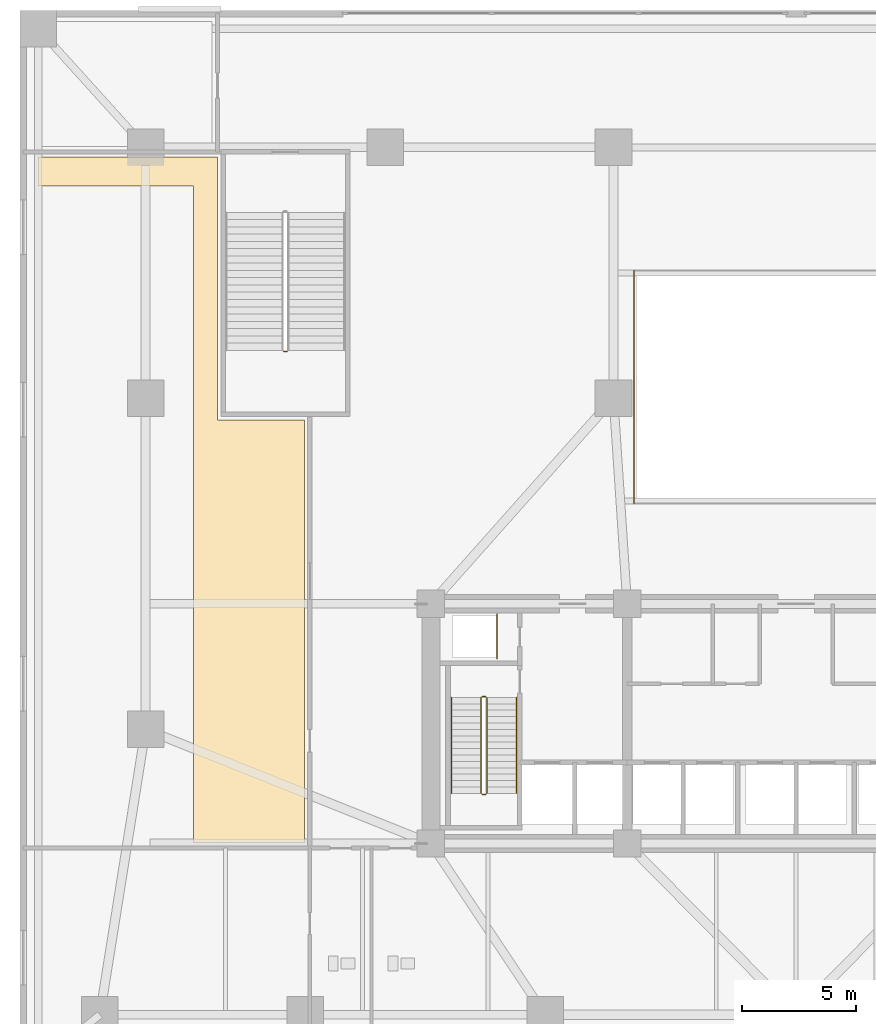
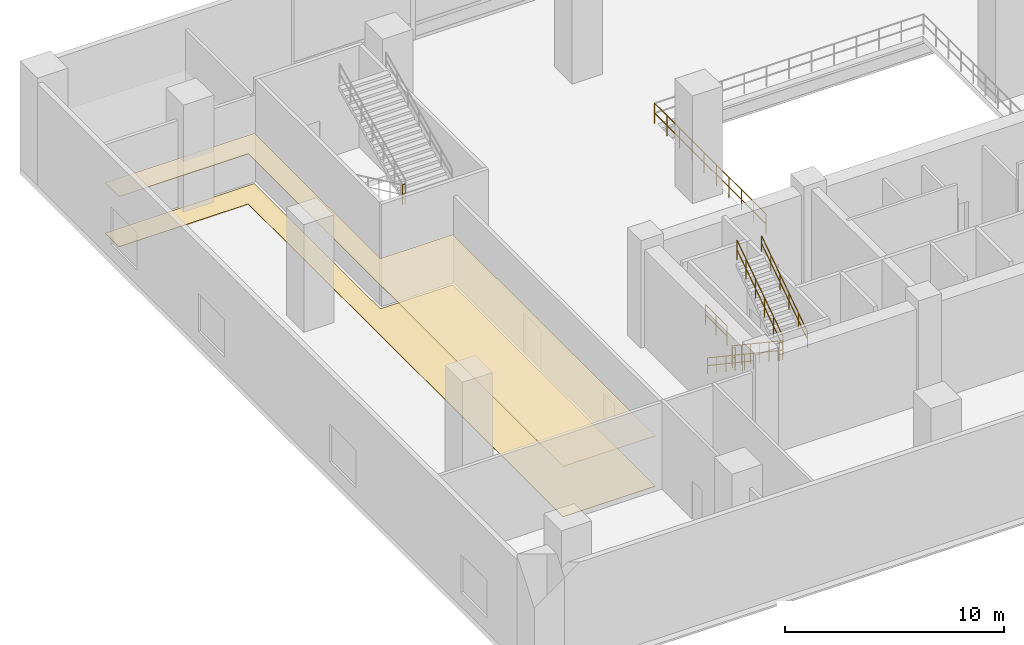
# One storey, part 10 of 16: 9 railings, 2 coverings.
"""IFC4 building model written with IfcOpenShell, lengths in metres."""

from ifc_helpers import new_model, si_unit, direction, frame, origin, origin_2d, place, context, subcontext, project, spatial, polyline, circle, outline, extrude, material, layer, layer_set, type_object, element, save


model = new_model("IFC4")

# Units and contexts
model_context = context("Model", 3, precision=1e-05, world=origin(), true_north=direction((0.0, 1.0)))
body_context = subcontext(model_context, "Body", "Model", "MODEL_VIEW")
ifc_project = project(units=[si_unit("LENGTHUNIT", "METRE"), si_unit("AREAUNIT", "SQUARE_METRE"), si_unit("VOLUMEUNIT", "CUBIC_METRE"), si_unit("PLANEANGLEUNIT", "RADIAN"), si_unit("MASSUNIT", "GRAM", prefix="KILO")], contexts=[model_context])

# Site, building, storey
site_placement = place(None, origin())
site = spatial("IfcSite", under=ifc_project, at=site_placement, CompositionType="ELEMENT")
building_placement = place(site_placement, origin())
building = spatial("IfcBuilding", under=site, at=building_placement, Name="Solmavex Isthmus Hotel", CompositionType="ELEMENT")
storey_placement = place(building_placement, frame((0.0, 0.0, 5.39990234375)))
storey = spatial("IfcBuildingStorey", under=building, at=storey_placement, Name="L02", CompositionType="ELEMENT", Elevation=5.39990234375)

# Coverings
ifc_material_1 = material(Name="Gypsum plasterboard lining", Category="gypsum")
ifc_layer_1 = layer(ifc_material_1, 0.030029296875)
ifc_layer_set_1 = layer_set([ifc_layer_1], Name="Gypsum plasterboard lining")
covering_type_1 = type_object("IfcCoveringType", Name="COV-CEIL-GYP", PredefinedType="CEILING", material=ifc_layer_set_1)
covering_1_placement = place(storey_placement, frame((0.0, 0.0, 2.800048828125)))
element("IfcCovering", 1, at=covering_1_placement, inside=storey, type_object=covering_type_1, Name="Suspended Acoustic Ceiling L02-GBR", PredefinedType="CEILING", context=body_context, shape_type="SweptSolid", body=[
    extrude(outline(polyline([(-21.530029296875, 5.550048828125), (-25.35009765625, 5.550048828125), (-25.35009765625, 17.070068359375), (-33.219970703125, 17.070068359375), (-33.219970703125, 15.800048828125), (-26.39990234375, 15.800048828125), (-26.39990234375, -12.969970703125), (-21.530029296875, -12.969970703125), (-21.530029296875, 5.550048828125)])), origin(), (0.0, 0.0, 1.0), 0.030029296875),
])
ifc_material_2 = material(Name="Travertine natural stone", Category="masonry")
ifc_layer_2 = layer(ifc_material_2, 0.02490234375)
ifc_layer_set_2 = layer_set([ifc_layer_2], Name="Travertine natural stone")
covering_type_2 = type_object("IfcCoveringType", Name="COV-FLOR-STN", PredefinedType="FLOORING", material=ifc_layer_set_2)
covering_2_placement = place(storey_placement, origin())
element("IfcCovering", 2, at=covering_2_placement, inside=storey, type_object=covering_type_2, Name="Stone and Timber Floor Finish L02-GBR", PredefinedType="FLOORING", context=body_context, shape_type="SweptSolid", body=[
    extrude(outline(polyline([(-21.530029296875, 5.550048828125), (-25.35009765625, 5.550048828125), (-25.35009765625, 17.070068359375), (-33.219970703125, 17.070068359375), (-33.219970703125, 15.800048828125), (-26.39990234375, 15.800048828125), (-26.39990234375, -12.969970703125), (-21.530029296875, -12.969970703125), (-21.530029296875, 5.550048828125)])), origin(), (0.0, 0.0, 1.0), 0.025146484375),
])

# Railings
ifc_material_3 = material(Name="Clear low-E laminated glass", Category="glass")
ifc_layer_3 = layer(ifc_material_3, 0.080078125)
ifc_layer_set_3 = layer_set([ifc_layer_3], Name="Clear low-E laminated glass")
railing_type_1 = type_object("IfcRailingType", Name="RAIL-ATRIUM-1120", PredefinedType="BALUSTRADE", material=ifc_layer_set_3)
railing_1_placement = place(storey_placement, frame((-7.10009765625, 12.10009765625, 0.0)))
element("IfcRailing", 3, at=railing_1_placement, inside=storey, type_object=railing_type_1, Name="Guardrail Balustrade L02-ATRIUM-04", PredefinedType="BALUSTRADE", context=body_context, shape_type="SweptSolid", body=[
    extrude(circle(Radius=0.02392578125, at=origin_2d()), frame((0.0, 0.0, 1.1259765625), z_axis=(0.0, -1.0, 0.0), x_axis=(1.0, 0.0, 0.0)), (0.0, 0.0, 1.0), 10.2001953125),
    extrude(circle(Radius=0.02392578125, at=origin_2d()), frame((0.0, 0.0, 0.574951171875), z_axis=(0.0, -1.0, 0.0), x_axis=(1.0, 0.0, 0.0)), (0.0, 0.0, 1.0), 10.2001953125),
    extrude(circle(Radius=0.02099609375, at=origin_2d()), origin(), (0.0, 0.0, 1.0), 1.101806640625),
    extrude(circle(Radius=0.02099609375, at=origin_2d()), frame((0.0, -1.13330078125, 0.0)), (0.0, 0.0, 1.0), 1.101806640625),
    extrude(circle(Radius=0.02099609375, at=origin_2d()), frame((0.0, -2.2666015625, 0.0)), (0.0, 0.0, 1.0), 1.101806640625),
    extrude(circle(Radius=0.02099609375, at=origin_2d()), frame((0.0, -3.400146484375, 0.0)), (0.0, 0.0, 1.0), 1.101806640625),
    extrude(circle(Radius=0.02099609375, at=origin_2d()), frame((0.0, -4.533447265625, 0.0)), (0.0, 0.0, 1.0), 1.101806640625),
    extrude(circle(Radius=0.02099609375, at=origin_2d()), frame((0.0, -5.666748046875, 0.0)), (0.0, 0.0, 1.0), 1.101806640625),
    extrude(circle(Radius=0.02099609375, at=origin_2d()), frame((0.0, -6.800048828125, 0.0)), (0.0, 0.0, 1.0), 1.101806640625),
    extrude(circle(Radius=0.02099609375, at=origin_2d()), frame((0.0, -7.93359375, 0.0)), (0.0, 0.0, 1.0), 1.101806640625),
    extrude(circle(Radius=0.02099609375, at=origin_2d()), frame((0.0, -9.06689453125, 0.0)), (0.0, 0.0, 1.0), 1.101806640625),
    extrude(circle(Radius=0.02099609375, at=origin_2d()), frame((0.0, -10.2001953125, 0.0)), (0.0, 0.0, 1.0), 1.101806640625),
])
railing_2_placement = place(storey_placement, frame((-13.10009765625, -4.89990234375, 0.0)))
element("IfcRailing", 4, at=railing_2_placement, inside=storey, type_object=railing_type_1, Name="Guardrail Balustrade L02-RSW-01", PredefinedType="BALUSTRADE", context=body_context, shape_type="SweptSolid", body=[
    extrude(circle(Radius=0.02392578125, at=origin_2d()), frame((0.0, 0.0, 1.1259765625), z_axis=(0.0, 1.0, 0.0), x_axis=(-1.0, 0.0, 0.0)), (0.0, 0.0, 1.0), 1.949951171875),
    extrude(circle(Radius=0.02392578125, at=origin_2d()), frame((0.0, 0.0, 0.574951171875), z_axis=(0.0, 1.0, 0.0), x_axis=(-1.0, 0.0, 0.0)), (0.0, 0.0, 1.0), 1.949951171875),
    extrude(circle(Radius=0.02099609375, at=origin_2d()), origin(), (0.0, 0.0, 1.0), 1.101806640625),
    extrude(circle(Radius=0.02099609375, at=origin_2d()), frame((0.0, 0.97509765625, 0.0)), (0.0, 0.0, 1.0), 1.101806640625),
    extrude(circle(Radius=0.02099609375, at=origin_2d()), frame((0.0, 1.949951171875, 0.0)), (0.0, 0.0, 1.0), 1.101806640625),
])
ifc_material_4 = material(Name="Stainless steel 316", Category="steel")
ifc_layer_4 = layer(ifc_material_4, 0.06005859375)
ifc_layer_set_4 = layer_set([ifc_layer_4], Name="Stainless steel 316")
railing_type_2 = type_object("IfcRailingType", Name="RAIL-STAIR-GD", PredefinedType="GUARDRAIL", material=ifc_layer_set_4)
railing_3_placement = place(storey_placement, frame((-13.800048828125, -6.60009765625, 0.1875)))
element("IfcRailing", 5, at=railing_3_placement, inside=storey, type_object=railing_type_2, Name="L02 ST-1 stair guard 1", PredefinedType="GUARDRAIL", context=body_context, shape_type="SweptSolid", body=[
    extrude(circle(Radius=0.02392578125, at=origin_2d()), frame((0.0, 0.0, 1.09619140625), z_axis=(0.0, -0.830904186295, 0.556415522067), x_axis=(1.0, 0.0, 0.0)), (0.0, 0.0, 1.0), 5.0546875),
    extrude(circle(Radius=0.02392578125, at=origin_2d()), frame((0.0, 0.0, 0.56005859375), z_axis=(0.0, -0.830904186295, 0.556415522067), x_axis=(1.0, 0.0, 0.0)), (0.0, 0.0, 1.0), 5.0546875),
    extrude(circle(Radius=0.02099609375, at=origin_2d()), origin(), (0.0, 0.0, 1.0), 1.072021484375),
    extrude(circle(Radius=0.02099609375, at=origin_2d()), frame((0.0, -0.840087890625, 0.5625)), (0.0, 0.0, 1.0), 1.072021484375),
    extrude(circle(Radius=0.02099609375, at=origin_2d()), frame((0.0, -1.679931640625, 1.125)), (0.0, 0.0, 1.0), 1.072021484375),
    extrude(circle(Radius=0.02099609375, at=origin_2d()), frame((0.0, -2.52001953125, 1.6875)), (0.0, 0.0, 1.0), 1.072021484375),
    extrude(circle(Radius=0.02099609375, at=origin_2d()), frame((0.0, -3.35986328125, 2.25)), (0.0, 0.0, 1.0), 1.072021484375),
    extrude(circle(Radius=0.02099609375, at=origin_2d()), frame((0.0, -4.199951171875, 2.8125)), (0.0, 0.0, 1.0), 1.072021484375),
])
railing_4_placement = place(storey_placement, frame((-13.75, -10.85009765625, 3.0)))
element("IfcRailing", 6, at=railing_4_placement, inside=storey, type_object=railing_type_2, Name="L02 ST-1 stair guard 2", PredefinedType="GUARDRAIL", context=body_context, shape_type="SweptSolid", body=[
    extrude(circle(Radius=0.02392578125, at=origin_2d()), frame((0.0, 0.0, 1.09619140625), z_axis=(1.0, 0.0, 0.0), x_axis=(0.0, 1.0, 0.0)), (0.0, 0.0, 1.0), 0.14990234375),
    extrude(circle(Radius=0.02392578125, at=origin_2d()), frame((0.0, 0.0, 0.56005859375), z_axis=(1.0, 0.0, 0.0), x_axis=(0.0, 1.0, 0.0)), (0.0, 0.0, 1.0), 0.14990234375),
    extrude(circle(Radius=0.02099609375, at=origin_2d()), origin(), (0.0, 0.0, 1.0), 1.072021484375),
    extrude(circle(Radius=0.02099609375, at=origin_2d()), frame((0.14990234375, 0.0, 0.0)), (0.0, 0.0, 1.0), 1.072021484375),
])
railing_5_placement = place(storey_placement, frame((-13.550048828125, -10.800048828125, 3.1875)))
element("IfcRailing", 7, at=railing_5_placement, inside=storey, type_object=railing_type_2, Name="L02 ST-1 stair guard 3", PredefinedType="GUARDRAIL", context=body_context, shape_type="SweptSolid", body=[
    extrude(circle(Radius=0.02392578125, at=origin_2d()), frame((0.0, 0.0, 1.09619140625), z_axis=(0.0, 0.830904186295, 0.556415522067), x_axis=(-1.0, 0.0, 0.0)), (0.0, 0.0, 1.0), 5.0546875),
    extrude(circle(Radius=0.02392578125, at=origin_2d()), frame((0.0, 0.0, 0.56005859375), z_axis=(0.0, 0.830904186295, 0.556415522067), x_axis=(-1.0, 0.0, 0.0)), (0.0, 0.0, 1.0), 5.0546875),
    extrude(circle(Radius=0.02099609375, at=origin_2d()), origin(), (0.0, 0.0, 1.0), 1.072021484375),
    extrude(circle(Radius=0.02099609375, at=origin_2d()), frame((0.0, 0.840087890625, 0.5625)), (0.0, 0.0, 1.0), 1.072021484375),
    extrude(circle(Radius=0.02099609375, at=origin_2d()), frame((0.0, 1.679931640625, 1.125)), (0.0, 0.0, 1.0), 1.072021484375),
    extrude(circle(Radius=0.02099609375, at=origin_2d()), frame((0.0, 2.52001953125, 1.6875)), (0.0, 0.0, 1.0), 1.072021484375),
    extrude(circle(Radius=0.02099609375, at=origin_2d()), frame((0.0, 3.35986328125, 2.25)), (0.0, 0.0, 1.0), 1.072021484375),
    extrude(circle(Radius=0.02099609375, at=origin_2d()), frame((0.0, 4.199951171875, 2.8125)), (0.0, 0.0, 1.0), 1.072021484375),
])
for number, where, name in (
    (8, (-13.75, -6.550048828125, 0.0), "L02 ST-1 stair guard 4"),
    (9, (-22.449951171875, 8.55810546875, 3.0), "L02 ST-4 stair guard 2"),
):
    element("IfcRailing", number, at=place(storey_placement, frame(where)), inside=storey, type_object=railing_type_2, Name=name, PredefinedType="GUARDRAIL", context=body_context, shape_type="SweptSolid", body=[
        extrude(circle(Radius=0.02392578125, at=origin_2d()), frame((0.0, 0.0, 1.09619140625), z_axis=(1.0, 0.0, 0.0), x_axis=(0.0, 1.0, 0.0)), (0.0, 0.0, 1.0), 0.14990234375),
        extrude(circle(Radius=0.02392578125, at=origin_2d()), frame((0.0, 0.0, 0.56005859375), z_axis=(1.0, 0.0, 0.0), x_axis=(0.0, 1.0, 0.0)), (0.0, 0.0, 1.0), 0.14990234375),
        extrude(circle(Radius=0.02099609375, at=origin_2d()), origin(), (0.0, 0.0, 1.0), 1.072021484375),
        extrude(circle(Radius=0.02099609375, at=origin_2d()), frame((0.14990234375, 0.0, 0.0)), (0.0, 0.0, 1.0), 1.072021484375),
    ])
ifc_layer_5 = layer(ifc_material_4, 0.050048828125)
ifc_layer_set_5 = layer_set([ifc_layer_5], Name="Stainless steel 316")
railing_type_3 = type_object("IfcRailingType", Name="RAIL-STAIR-HR", PredefinedType="HANDRAIL", material=ifc_layer_set_5)
railing_6_placement = place(storey_placement, frame((-15.10009765625, -6.60009765625, 0.1875)))
element("IfcRailing", 10, at=railing_6_placement, inside=storey, type_object=railing_type_3, Name="L02 ST-1 stair handrail 1", PredefinedType="HANDRAIL", context=body_context, shape_type="SweptSolid", body=[
    extrude(circle(Radius=0.02392578125, at=origin_2d()), frame((0.0, 0.0, 0.8759765625), z_axis=(0.0, -0.830904186295, 0.556415522067), x_axis=(1.0, 0.0, 0.0)), (0.0, 0.0, 1.0), 5.0546875),
    extrude(circle(Radius=0.02392578125, at=origin_2d()), frame((0.0, 0.0, 0.449951171875), z_axis=(0.0, -0.830904186295, 0.556415522067), x_axis=(1.0, 0.0, 0.0)), (0.0, 0.0, 1.0), 5.0546875),
    extrude(circle(Radius=0.02099609375, at=origin_2d()), origin(), (0.0, 0.0, 1.0), 0.851806640625),
    extrude(circle(Radius=0.02099609375, at=origin_2d()), frame((0.0, -0.840087890625, 0.5625)), (0.0, 0.0, 1.0), 0.851806640625),
    extrude(circle(Radius=0.02099609375, at=origin_2d()), frame((0.0, -1.679931640625, 1.125)), (0.0, 0.0, 1.0), 0.851806640625),
    extrude(circle(Radius=0.02099609375, at=origin_2d()), frame((0.0, -2.52001953125, 1.6875)), (0.0, 0.0, 1.0), 0.851806640625),
    extrude(circle(Radius=0.02099609375, at=origin_2d()), frame((0.0, -3.35986328125, 2.25)), (0.0, 0.0, 1.0), 0.851806640625),
    extrude(circle(Radius=0.02099609375, at=origin_2d()), frame((0.0, -4.199951171875, 2.8125)), (0.0, 0.0, 1.0), 0.851806640625),
])
railing_7_placement = place(storey_placement, frame((-12.25, -10.800048828125, 3.1875)))
element("IfcRailing", 11, at=railing_7_placement, inside=storey, type_object=railing_type_3, Name="L02 ST-1 stair handrail 2", PredefinedType="HANDRAIL", context=body_context, shape_type="SweptSolid", body=[
    extrude(circle(Radius=0.02392578125, at=origin_2d()), frame((0.0, 0.0, 0.8759765625), z_axis=(0.0, 0.830904186295, 0.556415522067), x_axis=(-1.0, 0.0, 0.0)), (0.0, 0.0, 1.0), 5.0546875),
    extrude(circle(Radius=0.02392578125, at=origin_2d()), frame((0.0, 0.0, 0.449951171875), z_axis=(0.0, 0.830904186295, 0.556415522067), x_axis=(-1.0, 0.0, 0.0)), (0.0, 0.0, 1.0), 5.0546875),
    extrude(circle(Radius=0.02099609375, at=origin_2d()), origin(), (0.0, 0.0, 1.0), 0.851806640625),
    extrude(circle(Radius=0.02099609375, at=origin_2d()), frame((0.0, 0.840087890625, 0.5625)), (0.0, 0.0, 1.0), 0.851806640625),
    extrude(circle(Radius=0.02099609375, at=origin_2d()), frame((0.0, 1.679931640625, 1.125)), (0.0, 0.0, 1.0), 0.851806640625),
    extrude(circle(Radius=0.02099609375, at=origin_2d()), frame((0.0, 2.52001953125, 1.6875)), (0.0, 0.0, 1.0), 0.851806640625),
    extrude(circle(Radius=0.02099609375, at=origin_2d()), frame((0.0, 3.35986328125, 2.25)), (0.0, 0.0, 1.0), 0.851806640625),
    extrude(circle(Radius=0.02099609375, at=origin_2d()), frame((0.0, 4.199951171875, 2.8125)), (0.0, 0.0, 1.0), 0.851806640625),
])

save(model, "model.ifc")
